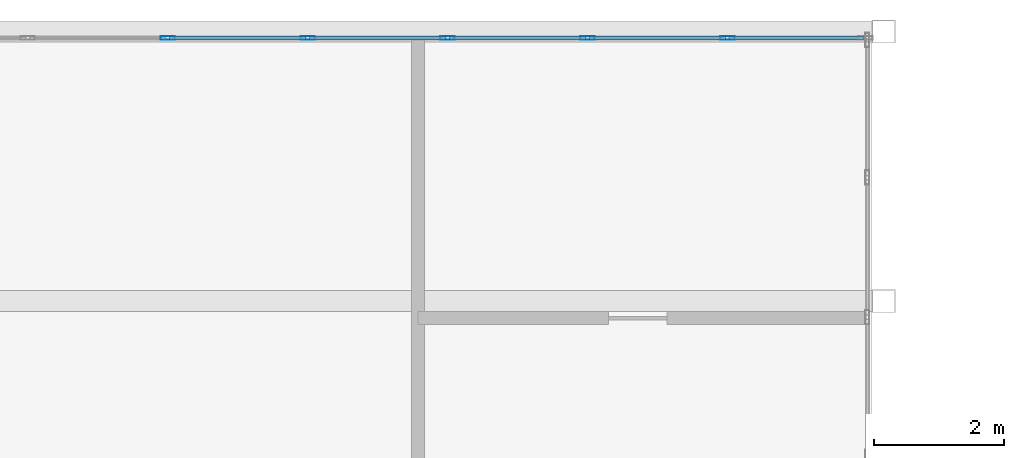
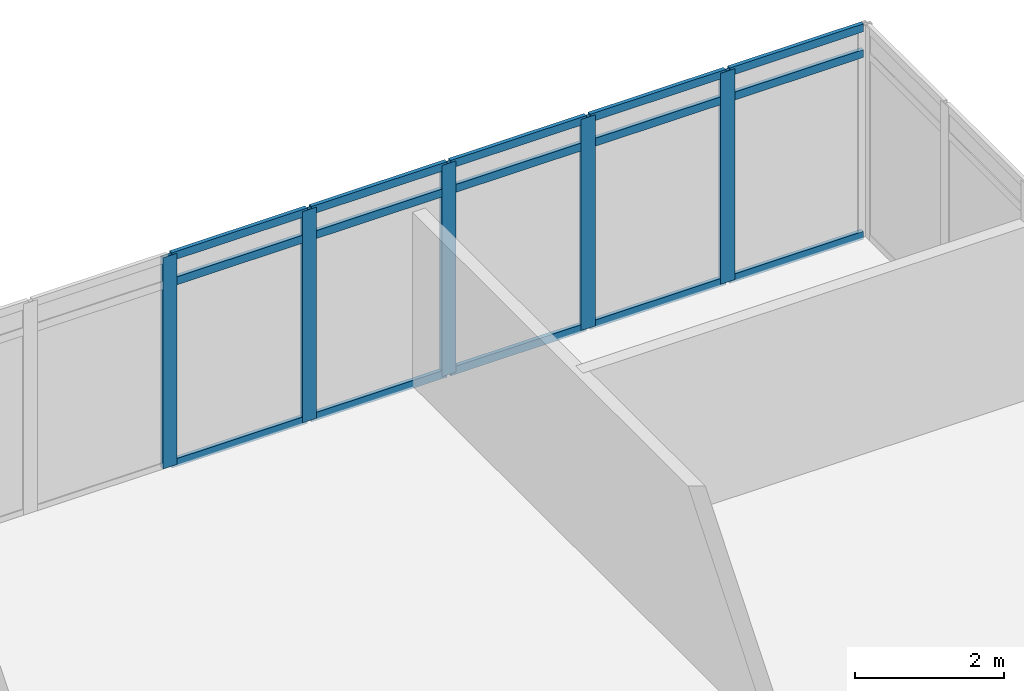
# One storey, part 22 of 37: 20 members, 1 element without a shape of its own.
"""IFC4 building model written with IfcOpenShell, lengths in metres."""

from ifc_helpers import new_model, si_unit, direction, frame, origin, origin_2d, place, context, subcontext, project, spatial, hollow_rectangle, extrude, material, material_profile, profile_set, type_object, element, aggregate, save


model = new_model("IFC4")

# Units and contexts
model_context = context("Model", 3, precision=1e-05, world=origin(), true_north=direction((0.0, 1.0)))
body_context = subcontext(model_context, "Body", "Model", "MODEL_VIEW")
ifc_project = project(units=[si_unit("LENGTHUNIT", "METRE"), si_unit("AREAUNIT", "SQUARE_METRE"), si_unit("VOLUMEUNIT", "CUBIC_METRE"), si_unit("PLANEANGLEUNIT", "RADIAN"), si_unit("MASSUNIT", "GRAM", prefix="KILO")], contexts=[model_context])

# Site, building, storey
site_placement = place(None, origin())
site = spatial("IfcSite", under=ifc_project, at=site_placement, CompositionType="ELEMENT")
building_placement = place(site_placement, origin())
building = spatial("IfcBuilding", under=site, at=building_placement, Name="Ostrander Bayou Hotel Tower", CompositionType="ELEMENT")
storey_placement = place(building_placement, frame((0.0, 0.0, 198.25)))
storey = spatial("IfcBuildingStorey", under=building, at=storey_placement, Name="L49", CompositionType="ELEMENT", Elevation=198.25)

# Curtain wall, members
ifc_material_1 = material(Name="Aluminium and clear glass", Category="aluminium")
curtain_wall_type = type_object("IfcCurtainWallType", Name="CW-BAR glazed wall", PredefinedType="NOTDEFINED", material=ifc_material_1)
curtain_wall_placement = place(storey_placement, origin())
curtain_wall = element("IfcCurtainWall", 1, at=curtain_wall_placement, inside=storey, type_object=curtain_wall_type, Name="CW-BAR L49:SB4N:T", PredefinedType="NOTDEFINED")
ifc_material_2 = material(Name="Aluminium", Category="aluminium")
ifc_material_profile_1 = material_profile(ifc_material_2, hollow_rectangle(XDim=0.06005859375, YDim=0.219970703125, WallThickness=0.00390625, at=origin_2d()))
ifc_profile_set_1 = profile_set([ifc_material_profile_1], Name="Aluminium")
member_type_1 = type_object("IfcMemberType", Name="CW-BR mullion 60 x 220 mm", PredefinedType="MULLION", material=ifc_profile_set_1)
member_1_placement = place(storey_placement, frame((1.077880859375, 27.916015625, 0.0), z_axis=(0.0, 0.0, 1.0), x_axis=(0.0, 1.0, 0.0)))
member_1 = element("IfcMember", 2, at=member_1_placement, type_object=member_type_1, Name="CW-BAR mullion 7", PredefinedType="MULLION", context=body_context, shape_type="SweptSolid", body=[
    extrude(hollow_rectangle(XDim=0.06005859375, YDim=0.219970703125, WallThickness=0.00390625, at=origin_2d()), origin(), (0.0, 0.0, 1.0), 3.449951171875),
])
member_2_placement = place(storey_placement, frame((3.23388671875, 27.916015625, 0.0), z_axis=(0.0, 0.0, 1.0), x_axis=(0.0, 1.0, 0.0)))
member_2 = element("IfcMember", 3, at=member_2_placement, type_object=member_type_1, Name="CW-BAR mullion 8", PredefinedType="MULLION", context=body_context, shape_type="SweptSolid", body=[
    extrude(hollow_rectangle(XDim=0.06005859375, YDim=0.219970703125, WallThickness=0.00390625, at=origin_2d()), origin(), (0.0, 0.0, 1.0), 3.449951171875),
])
member_3_placement = place(storey_placement, frame((5.3896484375, 27.916015625, 0.0), z_axis=(0.0, 0.0, 1.0), x_axis=(0.0, 1.0, 0.0)))
member_3 = element("IfcMember", 4, at=member_3_placement, type_object=member_type_1, Name="CW-BAR mullion 9", PredefinedType="MULLION", context=body_context, shape_type="SweptSolid", body=[
    extrude(hollow_rectangle(XDim=0.06005859375, YDim=0.219970703125, WallThickness=0.00390625, at=origin_2d()), origin(), (0.0, 0.0, 1.0), 3.449951171875),
])
member_4_placement = place(storey_placement, frame((7.54541015625, 27.916015625, 0.0), z_axis=(0.0, 0.0, 1.0), x_axis=(0.0, 1.0, 0.0)))
member_4 = element("IfcMember", 5, at=member_4_placement, type_object=member_type_1, Name="CW-BAR mullion 10", PredefinedType="MULLION", context=body_context, shape_type="SweptSolid", body=[
    extrude(hollow_rectangle(XDim=0.06005859375, YDim=0.219970703125, WallThickness=0.00390625, at=origin_2d()), origin(), (0.0, 0.0, 1.0), 3.449951171875),
])
member_5_placement = place(storey_placement, frame((9.701416015625, 27.916015625, 0.0), z_axis=(0.0, 0.0, 1.0), x_axis=(0.0, 1.0, 0.0)))
member_5 = element("IfcMember", 6, at=member_5_placement, type_object=member_type_1, Name="CW-BAR mullion 11", PredefinedType="MULLION", context=body_context, shape_type="SweptSolid", body=[
    extrude(hollow_rectangle(XDim=0.06005859375, YDim=0.219970703125, WallThickness=0.00390625, at=origin_2d()), origin(), (0.0, 0.0, 1.0), 3.449951171875),
])
ifc_material_3 = material(Name="Aluminium", Category="aluminium")
ifc_material_profile_2 = material_profile(ifc_material_3, hollow_rectangle(XDim=0.06005859375, YDim=0.1298828125, WallThickness=0.00390625, at=origin_2d()))
ifc_profile_set_2 = profile_set([ifc_material_profile_2], Name="Aluminium")
member_type_2 = type_object("IfcMemberType", Name="CW-BR transom 60 x 130 mm", PredefinedType="USERDEFINED", material=ifc_profile_set_2)
member_6_placement = place(storey_placement, frame((1.10791015625, 27.916015625, 0.030029296875), z_axis=(1.0, 0.0, 0.0), x_axis=(0.0, 1.0, 0.0)))
member_6 = element("IfcMember", 7, at=member_6_placement, type_object=member_type_2, Name="CW-BAR transom 7.1", ObjectType="TRANSOM", PredefinedType="USERDEFINED", context=body_context, shape_type="SweptSolid", body=[
    extrude(hollow_rectangle(XDim=0.06005859375, YDim=0.1298828125, WallThickness=0.00390625, at=origin_2d()), origin(), (0.0, 0.0, 1.0), 2.095947265625),
])
member_7_placement = place(storey_placement, frame((1.10791015625, 27.916015625, 3.0), z_axis=(1.0, 0.0, 0.0), x_axis=(0.0, 1.0, 0.0)))
member_7 = element("IfcMember", 8, at=member_7_placement, type_object=member_type_2, Name="CW-BAR transom 7.2", ObjectType="TRANSOM", PredefinedType="USERDEFINED", context=body_context, shape_type="SweptSolid", body=[
    extrude(hollow_rectangle(XDim=0.06005859375, YDim=0.1298828125, WallThickness=0.00390625, at=origin_2d()), origin(), (0.0, 0.0, 1.0), 2.095947265625),
])
member_8_placement = place(storey_placement, frame((1.10791015625, 27.916015625, 3.419921875), z_axis=(1.0, 0.0, 0.0), x_axis=(0.0, 1.0, 0.0)))
member_8 = element("IfcMember", 9, at=member_8_placement, type_object=member_type_2, Name="CW-BAR transom 7.3", ObjectType="TRANSOM", PredefinedType="USERDEFINED", context=body_context, shape_type="SweptSolid", body=[
    extrude(hollow_rectangle(XDim=0.06005859375, YDim=0.1298828125, WallThickness=0.00390625, at=origin_2d()), origin(), (0.0, 0.0, 1.0), 2.095947265625),
])
member_9_placement = place(storey_placement, frame((3.263671875, 27.916015625, 0.030029296875), z_axis=(1.0, 0.0, 0.0), x_axis=(0.0, 1.0, 0.0)))
member_9 = element("IfcMember", 10, at=member_9_placement, type_object=member_type_2, Name="CW-BAR transom 8.1", ObjectType="TRANSOM", PredefinedType="USERDEFINED", context=body_context, shape_type="SweptSolid", body=[
    extrude(hollow_rectangle(XDim=0.06005859375, YDim=0.1298828125, WallThickness=0.00390625, at=origin_2d()), origin(), (0.0, 0.0, 1.0), 2.095947265625),
])
member_10_placement = place(storey_placement, frame((3.263671875, 27.916015625, 3.0), z_axis=(1.0, 0.0, 0.0), x_axis=(0.0, 1.0, 0.0)))
member_10 = element("IfcMember", 11, at=member_10_placement, type_object=member_type_2, Name="CW-BAR transom 8.2", ObjectType="TRANSOM", PredefinedType="USERDEFINED", context=body_context, shape_type="SweptSolid", body=[
    extrude(hollow_rectangle(XDim=0.06005859375, YDim=0.1298828125, WallThickness=0.00390625, at=origin_2d()), origin(), (0.0, 0.0, 1.0), 2.095947265625),
])
member_11_placement = place(storey_placement, frame((3.263671875, 27.916015625, 3.419921875), z_axis=(1.0, 0.0, 0.0), x_axis=(0.0, 1.0, 0.0)))
member_11 = element("IfcMember", 12, at=member_11_placement, type_object=member_type_2, Name="CW-BAR transom 8.3", ObjectType="TRANSOM", PredefinedType="USERDEFINED", context=body_context, shape_type="SweptSolid", body=[
    extrude(hollow_rectangle(XDim=0.06005859375, YDim=0.1298828125, WallThickness=0.00390625, at=origin_2d()), origin(), (0.0, 0.0, 1.0), 2.095947265625),
])
member_12_placement = place(storey_placement, frame((5.419677734375, 27.916015625, 0.030029296875), z_axis=(1.0, 0.0, 0.0), x_axis=(0.0, 1.0, 0.0)))
member_12 = element("IfcMember", 13, at=member_12_placement, type_object=member_type_2, Name="CW-BAR transom 9.1", ObjectType="TRANSOM", PredefinedType="USERDEFINED", context=body_context, shape_type="SweptSolid", body=[
    extrude(hollow_rectangle(XDim=0.06005859375, YDim=0.1298828125, WallThickness=0.00390625, at=origin_2d()), origin(), (0.0, 0.0, 1.0), 2.095703125),
])
member_13_placement = place(storey_placement, frame((5.419677734375, 27.916015625, 3.0), z_axis=(1.0, 0.0, 0.0), x_axis=(0.0, 1.0, 0.0)))
member_13 = element("IfcMember", 14, at=member_13_placement, type_object=member_type_2, Name="CW-BAR transom 9.2", ObjectType="TRANSOM", PredefinedType="USERDEFINED", context=body_context, shape_type="SweptSolid", body=[
    extrude(hollow_rectangle(XDim=0.06005859375, YDim=0.1298828125, WallThickness=0.00390625, at=origin_2d()), origin(), (0.0, 0.0, 1.0), 2.095703125),
])
member_14_placement = place(storey_placement, frame((5.419677734375, 27.916015625, 3.419921875), z_axis=(1.0, 0.0, 0.0), x_axis=(0.0, 1.0, 0.0)))
member_14 = element("IfcMember", 15, at=member_14_placement, type_object=member_type_2, Name="CW-BAR transom 9.3", ObjectType="TRANSOM", PredefinedType="USERDEFINED", context=body_context, shape_type="SweptSolid", body=[
    extrude(hollow_rectangle(XDim=0.06005859375, YDim=0.1298828125, WallThickness=0.00390625, at=origin_2d()), origin(), (0.0, 0.0, 1.0), 2.095703125),
])
member_15_placement = place(storey_placement, frame((7.575439453125, 27.916015625, 0.030029296875), z_axis=(1.0, 0.0, 0.0), x_axis=(0.0, 1.0, 0.0)))
member_15 = element("IfcMember", 16, at=member_15_placement, type_object=member_type_2, Name="CW-BAR transom 10.1", ObjectType="TRANSOM", PredefinedType="USERDEFINED", context=body_context, shape_type="SweptSolid", body=[
    extrude(hollow_rectangle(XDim=0.06005859375, YDim=0.1298828125, WallThickness=0.00390625, at=origin_2d()), origin(), (0.0, 0.0, 1.0), 2.095947265625),
])
member_16_placement = place(storey_placement, frame((7.575439453125, 27.916015625, 3.0), z_axis=(1.0, 0.0, 0.0), x_axis=(0.0, 1.0, 0.0)))
member_16 = element("IfcMember", 17, at=member_16_placement, type_object=member_type_2, Name="CW-BAR transom 10.2", ObjectType="TRANSOM", PredefinedType="USERDEFINED", context=body_context, shape_type="SweptSolid", body=[
    extrude(hollow_rectangle(XDim=0.06005859375, YDim=0.1298828125, WallThickness=0.00390625, at=origin_2d()), origin(), (0.0, 0.0, 1.0), 2.095947265625),
])
member_17_placement = place(storey_placement, frame((7.575439453125, 27.916015625, 3.419921875), z_axis=(1.0, 0.0, 0.0), x_axis=(0.0, 1.0, 0.0)))
member_17 = element("IfcMember", 18, at=member_17_placement, type_object=member_type_2, Name="CW-BAR transom 10.3", ObjectType="TRANSOM", PredefinedType="USERDEFINED", context=body_context, shape_type="SweptSolid", body=[
    extrude(hollow_rectangle(XDim=0.06005859375, YDim=0.1298828125, WallThickness=0.00390625, at=origin_2d()), origin(), (0.0, 0.0, 1.0), 2.095947265625),
])
member_18_placement = place(storey_placement, frame((9.7314453125, 27.916015625, 0.030029296875), z_axis=(1.0, 0.0, 0.0), x_axis=(0.0, 1.0, 0.0)))
member_18 = element("IfcMember", 19, at=member_18_placement, type_object=member_type_2, Name="CW-BAR transom 11.1", ObjectType="TRANSOM", PredefinedType="USERDEFINED", context=body_context, shape_type="SweptSolid", body=[
    extrude(hollow_rectangle(XDim=0.06005859375, YDim=0.1298828125, WallThickness=0.00390625, at=origin_2d()), origin(), (0.0, 0.0, 1.0), 2.065673828125),
])
member_19_placement = place(storey_placement, frame((9.7314453125, 27.916015625, 3.0), z_axis=(1.0, 0.0, 0.0), x_axis=(0.0, 1.0, 0.0)))
member_19 = element("IfcMember", 20, at=member_19_placement, type_object=member_type_2, Name="CW-BAR transom 11.2", ObjectType="TRANSOM", PredefinedType="USERDEFINED", context=body_context, shape_type="SweptSolid", body=[
    extrude(hollow_rectangle(XDim=0.06005859375, YDim=0.1298828125, WallThickness=0.00390625, at=origin_2d()), origin(), (0.0, 0.0, 1.0), 2.065673828125),
])
member_20_placement = place(storey_placement, frame((9.7314453125, 27.916015625, 3.419921875), z_axis=(1.0, 0.0, 0.0), x_axis=(0.0, 1.0, 0.0)))
member_20 = element("IfcMember", 21, at=member_20_placement, type_object=member_type_2, Name="CW-BAR transom 11.3", ObjectType="TRANSOM", PredefinedType="USERDEFINED", context=body_context, shape_type="SweptSolid", body=[
    extrude(hollow_rectangle(XDim=0.06005859375, YDim=0.1298828125, WallThickness=0.00390625, at=origin_2d()), origin(), (0.0, 0.0, 1.0), 2.065673828125),
])
aggregate(curtain_wall, [member_1, member_2, member_3, member_4, member_5, member_6, member_7, member_8, member_9, member_10, member_11, member_12, member_13, member_14, member_15, member_16, member_17, member_18, member_19, member_20])

save(model, "model.ifc")
